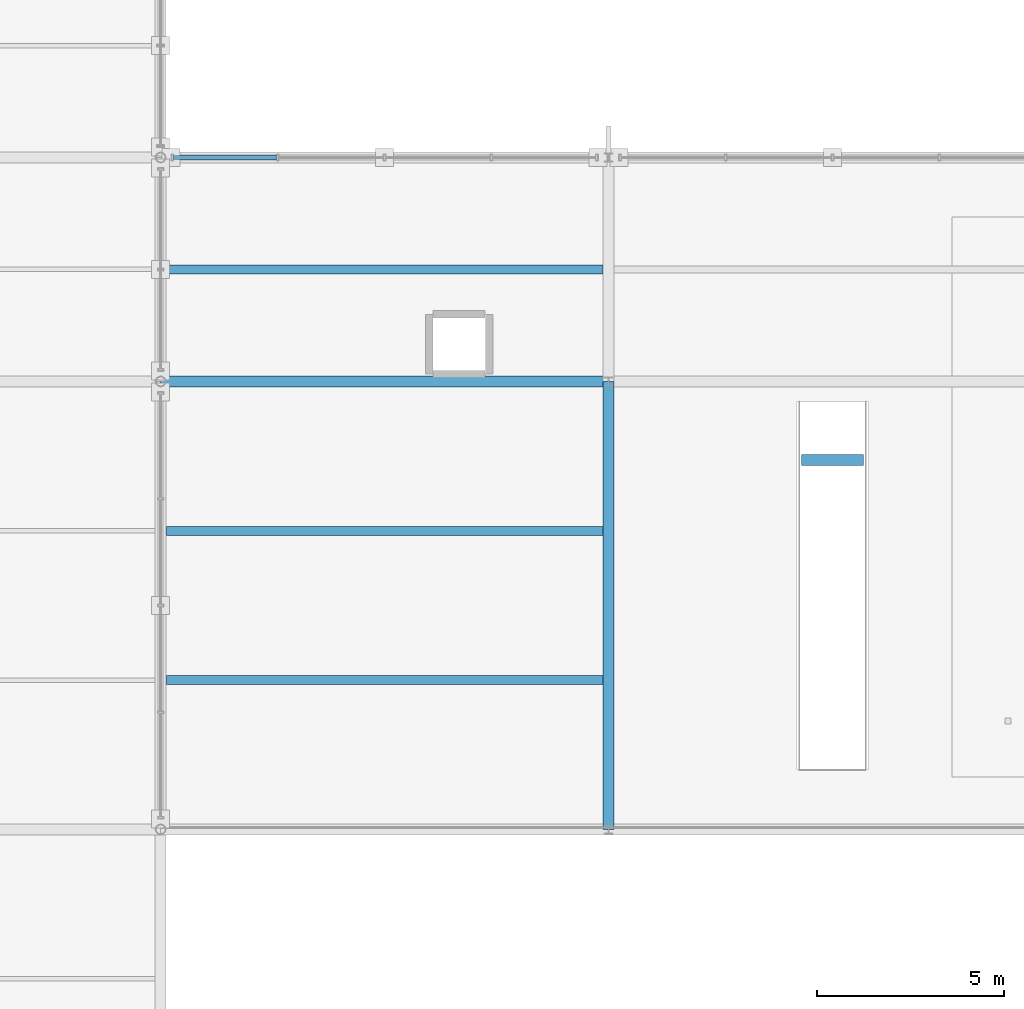
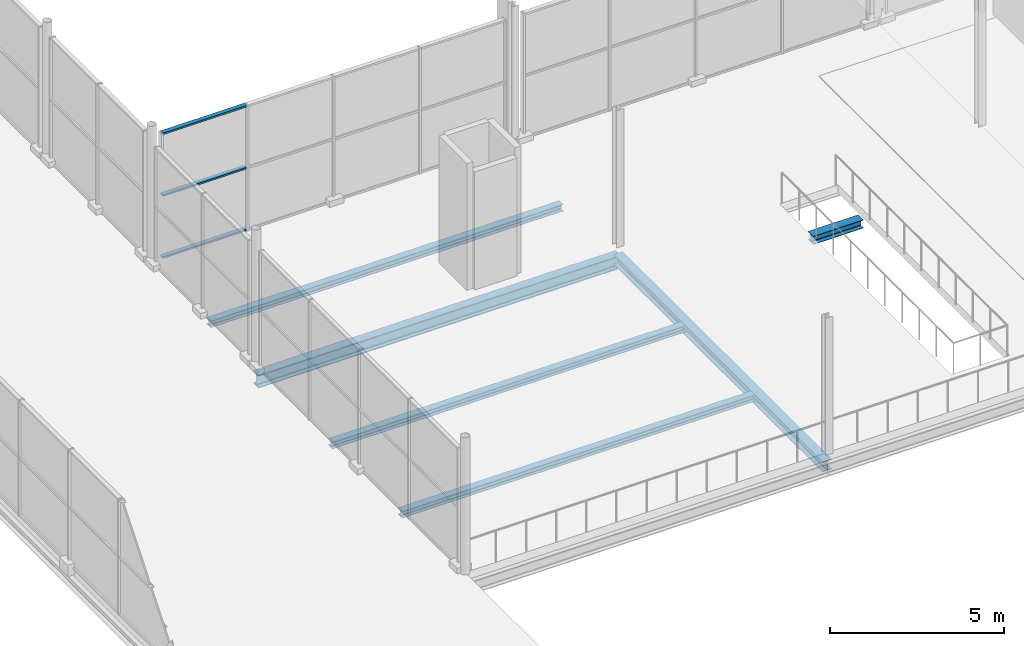
# One storey, part 57 of 159: 6 beams, 3 members, 1 element without a shape of its own.
"""IFC4 building model written with IfcOpenShell, lengths in metres."""

from ifc_helpers import new_model, si_unit, direction, frame, origin, origin_2d, place, context, subcontext, project, spatial, hollow_rectangle, i_section, extrude, material, material_profile, profile_set, type_object, element, aggregate, save


model = new_model("IFC4")

# Units and contexts
model_context = context("Model", 3, precision=1e-05, world=origin(), true_north=direction((0.0, 1.0)))
body_context = subcontext(model_context, "Body", "Model", "MODEL_VIEW")
ifc_project = project(units=[si_unit("LENGTHUNIT", "METRE"), si_unit("AREAUNIT", "SQUARE_METRE"), si_unit("VOLUMEUNIT", "CUBIC_METRE"), si_unit("PLANEANGLEUNIT", "RADIAN"), si_unit("MASSUNIT", "GRAM", prefix="KILO")], contexts=[model_context])

# Site, building, storey
site_placement = place(None, origin())
site = spatial("IfcSite", under=ifc_project, at=site_placement, CompositionType="ELEMENT")
building_placement = place(site_placement, origin())
building = spatial("IfcBuilding", under=site, at=building_placement, Name="Merenkruunu Market Hall", CompositionType="ELEMENT")
storey_placement = place(building_placement, frame((0.0, 0.0, 5.39990234375)))
storey = spatial("IfcBuildingStorey", under=building, at=storey_placement, Name="L01", CompositionType="ELEMENT", Elevation=5.39990234375)

# Curtain wall, members
ifc_material_1 = material(Name="Powder-coated aluminium", Category="aluminium")
curtain_wall_type = type_object("IfcCurtainWallType", Name="Glazed Curtain Wall CW05", PredefinedType="USERDEFINED", material=ifc_material_1)
curtain_wall_placement = place(storey_placement, origin())
curtain_wall = element("IfcCurtainWall", 1, at=curtain_wall_placement, inside=storey, type_object=curtain_wall_type, Name="CW-L01-CWM02-183", ObjectType="GLAZED_FACADE", PredefinedType="USERDEFINED")
ifc_material_profile_1 = material_profile(ifc_material_1, hollow_rectangle(XDim=0.06005859375, YDim=0.139892578125, WallThickness=0.00390625, at=origin_2d()), Name="ALU 60x140x4")
ifc_profile_set_1 = profile_set([ifc_material_profile_1], Name="Powder-coated aluminium")
member_type = type_object("IfcMemberType", Name="Curtain Wall Transom CWT02", PredefinedType="USERDEFINED", material=ifc_profile_set_1)
member_1_placement = place(storey_placement, frame((77.139892578125, 45.60009765625, 0.030029296875), z_axis=(1.0, 0.0, 0.0), x_axis=(0.0, 0.0, 1.0)))
member_1 = element("IfcMember", 2, at=member_1_placement, type_object=member_type, Name="CW05 transom 1.1", ObjectType="TRANSOM", PredefinedType="USERDEFINED", context=body_context, shape_type="SweptSolid", body=[
    extrude(hollow_rectangle(XDim=0.06005859375, YDim=0.139892578125, WallThickness=0.00390625, at=origin_2d()), origin(), (0.0, 0.0, 1.0), 2.77001953125),
])
member_2_placement = place(storey_placement, frame((77.139892578125, 45.60009765625, 2.2001953125), z_axis=(1.0, 0.0, 0.0), x_axis=(0.0, 0.0, 1.0)))
member_2 = element("IfcMember", 3, at=member_2_placement, type_object=member_type, Name="CW05 transom 1.2", ObjectType="TRANSOM", PredefinedType="USERDEFINED", context=body_context, shape_type="SweptSolid", body=[
    extrude(hollow_rectangle(XDim=0.06005859375, YDim=0.139892578125, WallThickness=0.00390625, at=origin_2d()), origin(), (0.0, 0.0, 1.0), 2.77001953125),
])
member_3_placement = place(storey_placement, frame((77.139892578125, 45.60009765625, 4.3701171875), z_axis=(1.0, 0.0, 0.0), x_axis=(0.0, 0.0, 1.0)))
member_3 = element("IfcMember", 4, at=member_3_placement, type_object=member_type, Name="CW05 transom 1.3", ObjectType="TRANSOM", PredefinedType="USERDEFINED", context=body_context, shape_type="SweptSolid", body=[
    extrude(hollow_rectangle(XDim=0.06005859375, YDim=0.139892578125, WallThickness=0.00390625, at=origin_2d()), origin(), (0.0, 0.0, 1.0), 2.77001953125),
])
aggregate(curtain_wall, [member_1, member_2, member_3])

# Beams
ifc_material_2 = material(Name="Steel S355J2", Category="steel")
ifc_material_profile_2 = material_profile(ifc_material_2, i_section(OverallWidth=0.300048828125, OverallDepth=0.449951171875, WebThickness=0.013916015625, FlangeThickness=0.02587890625, FilletRadius=0.027099609375, at=origin_2d()), Name="HEB 450")
ifc_profile_set_2 = profile_set([ifc_material_profile_2], Name="Steel S355J2")
beam_type_1 = type_object("IfcBeamType", Name="Primary Floor Girder B03", PredefinedType="BEAM", material=ifc_profile_set_2)
beam_1_placement = place(storey_placement, frame((76.800048828125, 39.60009765625, -0.5048828125), z_axis=(1.0, 0.0, 0.0), x_axis=(0.0, 1.0, 0.0)))
element("IfcBeam", 5, at=beam_1_placement, inside=storey, type_object=beam_type_1, Name="BM-L01-B03-0497", PredefinedType="BEAM", context=body_context, shape_type="SweptSolid", body=[
    extrude(i_section(OverallWidth=0.300048828125, OverallDepth=0.449951171875, WebThickness=0.013916015625, FlangeThickness=0.02587890625, FilletRadius=0.027099609375, at=origin_2d()), origin(), (0.0, 0.0, 1.0), 12.0),
])
ifc_material_profile_3 = material_profile(ifc_material_2, i_section(OverallWidth=0.300048828125, OverallDepth=0.35009765625, WebThickness=0.010009765625, FlangeThickness=0.017578125, FilletRadius=0.027099609375, at=origin_2d()), Name="HEA 360")
ifc_profile_set_3 = profile_set([ifc_material_profile_3], Name="Steel S355J2")
beam_type_2 = type_object("IfcBeamType", Name="Primary Floor Girder B08", PredefinedType="BEAM", material=ifc_profile_set_3)
beam_2_placement = place(storey_placement, frame((88.800048828125, 27.60009765625, -0.454833984375), z_axis=(0.0, 1.0, 0.0), x_axis=(-1.0, 0.0, 0.0)))
element("IfcBeam", 6, at=beam_2_placement, inside=storey, type_object=beam_type_2, Name="BM-L01-B08-0605", PredefinedType="BEAM", context=body_context, shape_type="SweptSolid", body=[
    extrude(i_section(OverallWidth=0.300048828125, OverallDepth=0.35009765625, WebThickness=0.010009765625, FlangeThickness=0.017578125, FilletRadius=0.027099609375, at=origin_2d()), origin(), (0.0, 0.0, 1.0), 12.0),
])
ifc_material_profile_4 = material_profile(ifc_material_2, i_section(OverallWidth=0.300048828125, OverallDepth=0.2900390625, WebThickness=0.008544921875, FlangeThickness=0.013916015625, FilletRadius=0.027099609375, at=origin_2d()), Name="HEA 300")
ifc_profile_set_4 = profile_set([ifc_material_profile_4], Name="Steel S355J2")
beam_type_3 = type_object("IfcBeamType", Name="Primary Floor Girder B09", PredefinedType="BEAM", material=ifc_profile_set_4)
beam_3_placement = place(storey_placement, frame((93.969970703125, 37.5, -0.294921875), z_axis=(1.0, 0.0, 0.0), x_axis=(0.0, 1.0, 0.0)))
element("IfcBeam", 7, at=beam_3_placement, inside=storey, type_object=beam_type_3, Name="BM-FST-TRIM-4", PredefinedType="BEAM", context=body_context, shape_type="SweptSolid", body=[
    extrude(i_section(OverallWidth=0.300048828125, OverallDepth=0.2900390625, WebThickness=0.008544921875, FlangeThickness=0.013916015625, FilletRadius=0.027099609375, at=origin_2d()), origin(), (0.0, 0.0, 1.0), 1.659912109375),
])
ifc_material_profile_5 = material_profile(ifc_material_2, i_section(OverallWidth=0.239990234375, OverallDepth=0.22998046875, WebThickness=0.007568359375, FlangeThickness=0.011962890625, FilletRadius=0.02099609375, at=origin_2d()), Name="HEA 240")
ifc_profile_set_5 = profile_set([ifc_material_profile_5], Name="Steel S355J2")
beam_type_4 = type_object("IfcBeamType", Name="Secondary Floor Joist J06", PredefinedType="JOIST", material=ifc_profile_set_5)
for number, where, z_axis, x_axis, name in (
    (8, (76.952880859375, 31.60009765625, -0.39501953125), (1.0, 0.0, 0.0), (0.0, 1.0, 0.0), "BM-L01-J06-0687"),
    (9, (76.952880859375, 35.60009765625, -0.39501953125), (1.0, 0.0, 0.0), (0.0, 1.0, 0.0), "BM-L01-J06-0688"),
    (10, (76.952880859375, 42.60009765625, -0.39501953125), (1.0, 0.0, 0.0), (0.0, 1.0, 0.0), "BM-L01-J06-0689"),
):
    element("IfcBeam", number, at=place(storey_placement, frame(where, z_axis=z_axis, x_axis=x_axis)), inside=storey, type_object=beam_type_4, Name=name, PredefinedType="JOIST", context=body_context, shape_type="SweptSolid", body=[
        extrude(i_section(OverallWidth=0.239990234375, OverallDepth=0.22998046875, WebThickness=0.007568359375, FlangeThickness=0.011962890625, FilletRadius=0.02099609375, at=origin_2d()), origin(), (0.0, 0.0, 1.0), 11.694091796875),
    ])

save(model, "model.ifc")
